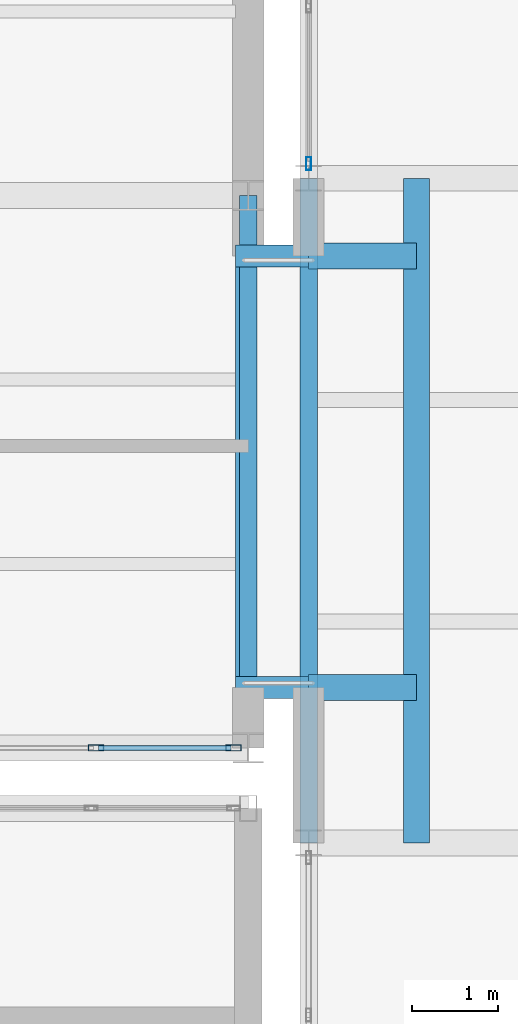
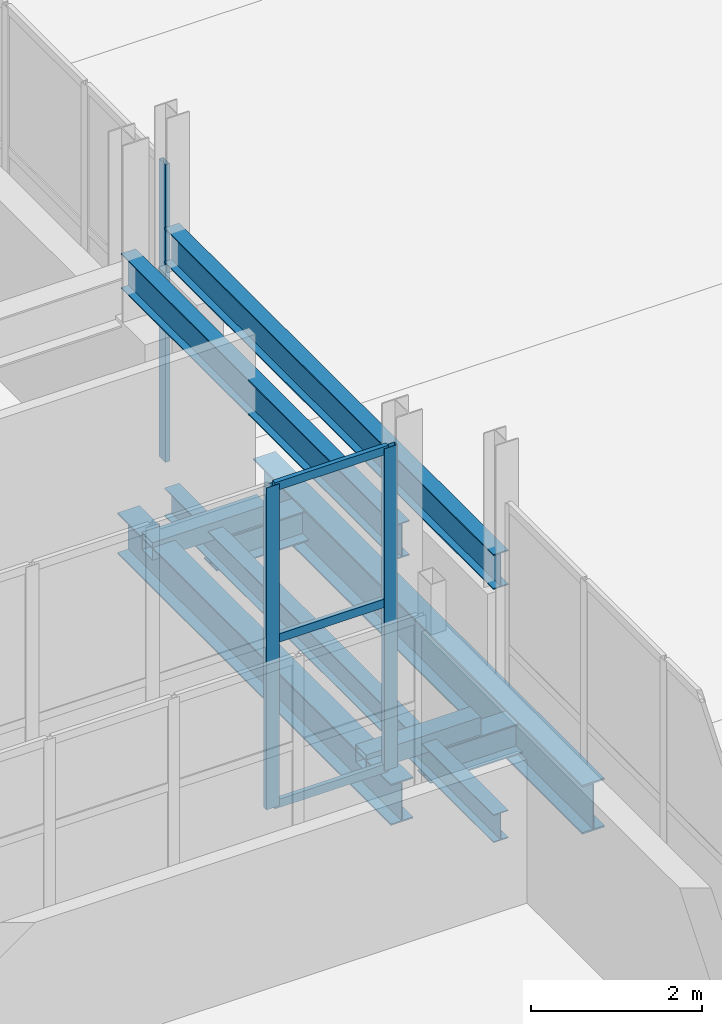
# One storey, part 112 of 218: 8 members, 7 beams, 2 elements without a shape of their own.
"""IFC4 building model written with IfcOpenShell, lengths in metres."""

from ifc_helpers import new_model, si_unit, direction, frame, origin, origin_2d, place, context, subcontext, project, spatial, hollow_rectangle, i_section, extrude, material, material_profile, profile_set, type_object, element, aggregate, save


model = new_model("IFC4")

# Units and contexts
model_context = context("Model", 3, precision=1e-05, world=origin(), true_north=direction((0.0, 1.0)))
body_context = subcontext(model_context, "Body", "Model", "MODEL_VIEW")
ifc_project = project(units=[si_unit("LENGTHUNIT", "METRE"), si_unit("AREAUNIT", "SQUARE_METRE"), si_unit("VOLUMEUNIT", "CUBIC_METRE"), si_unit("PLANEANGLEUNIT", "RADIAN"), si_unit("MASSUNIT", "GRAM", prefix="KILO")], contexts=[model_context])

# Site, building, storey
site_placement = place(None, origin())
site = spatial("IfcSite", under=ifc_project, at=site_placement, CompositionType="ELEMENT")
building_placement = place(site_placement, origin())
building = spatial("IfcBuilding", under=site, at=building_placement, Name="Kazenagashi Tramway Depot", CompositionType="ELEMENT")
storey_placement = place(building_placement, frame((0.0, 0.0, 6.0)))
storey = spatial("IfcBuildingStorey", under=building, at=storey_placement, Name="L02", CompositionType="ELEMENT", Elevation=6.0)

# Beams
ifc_material_1 = material(Name="Steel SN490B", Category="steel")
ifc_material_profile_1 = material_profile(ifc_material_1, i_section(OverallWidth=0.3, OverallDepth=0.7, WebThickness=0.013, FlangeThickness=0.024, at=origin_2d()), Name="H-700x300x13x24")
ifc_profile_set_1 = profile_set([ifc_material_profile_1], Name="Steel SN490B")
beam_type_1 = type_object("IfcBeamType", Name="G-02", PredefinedType="BEAM", material=ifc_profile_set_1)
beam_1_placement = place(storey_placement, frame((147.55, 15.4, -0.63), z_axis=(0.0, 1.0, 0.0), x_axis=(-1.0, 0.0, 0.0)))
element("IfcBeam", 1, at=beam_1_placement, inside=storey, type_object=beam_type_1, Name="Beam G-02 BM-2361", PredefinedType="BEAM", context=body_context, shape_type="SweptSolid", body=[
    extrude(i_section(OverallWidth=0.3, OverallDepth=0.7, WebThickness=0.013, FlangeThickness=0.024, at=origin_2d()), origin(), (0.0, 0.0, 1.0), 7.7),
])
ifc_material_profile_2 = material_profile(ifc_material_1, i_section(OverallWidth=0.2, OverallDepth=0.5, WebThickness=0.01, FlangeThickness=0.016, at=origin_2d()), Name="H-500x200x10x16")
ifc_profile_set_2 = profile_set([ifc_material_profile_2], Name="Steel SN490B")
beam_type_2 = type_object("IfcBeamType", Name="G-05", PredefinedType="BEAM", material=ifc_profile_set_2)
beam_2_placement = place(storey_placement, frame((145.6, 16.5, 3.185), z_axis=(0.0, 1.0, 0.0), x_axis=(-1.0, 0.0, 0.0)))
element("IfcBeam", 2, at=beam_2_placement, inside=storey, type_object=beam_type_2, Name="Beam G-05 BM-2016", PredefinedType="BEAM", context=body_context, shape_type="SweptSolid", body=[
    extrude(i_section(OverallWidth=0.2, OverallDepth=0.5, WebThickness=0.01, FlangeThickness=0.016, at=origin_2d()), origin(), (0.0, 0.0, 1.0), 6.4),
])
beam_3_placement = place(storey_placement, frame((146.3, 15.4, 3.185), z_axis=(0.0, 1.0, 0.0), x_axis=(-1.0, 0.0, 0.0)))
element("IfcBeam", 3, at=beam_3_placement, inside=storey, type_object=beam_type_2, Name="Beam G-05 BM-2017", PredefinedType="BEAM", context=body_context, shape_type="SweptSolid", body=[
    extrude(i_section(OverallWidth=0.2, OverallDepth=0.5, WebThickness=0.01, FlangeThickness=0.016, at=origin_2d()), origin(), (0.0, 0.0, 1.0), 7.7),
])
ifc_material_profile_3 = material_profile(ifc_material_1, i_section(OverallWidth=0.3, OverallDepth=0.44, WebThickness=0.011, FlangeThickness=0.018, at=origin_2d()), Name="H-440x300x11x18")
ifc_profile_set_3 = profile_set([ifc_material_profile_3], Name="Steel SN490B")
beam_type_3 = type_object("IfcBeamType", Name="G-06", PredefinedType="BEAM", material=ifc_profile_set_3)
for number, where, z_axis, x_axis, name in (
    (4, (146.3, 17.2, -0.65), (1.0, 0.0, 0.0), (0.0, 1.0, 0.0), "Beam G-06 BM-2362"),
    (5, (146.3, 22.2, -0.65), (1.0, 0.0, 0.0), (0.0, 1.0, 0.0), "Beam G-06 BM-2363"),
):
    element("IfcBeam", number, at=place(storey_placement, frame(where, z_axis=z_axis, x_axis=x_axis)), inside=storey, type_object=beam_type_3, Name=name, PredefinedType="BEAM", context=body_context, shape_type="SweptSolid", body=[
        extrude(i_section(OverallWidth=0.3, OverallDepth=0.44, WebThickness=0.011, FlangeThickness=0.018, at=origin_2d()), origin(), (0.0, 0.0, 1.0), 1.25),
    ])

# Curtain wall, member
ifc_material_2 = material(Name="Anodised Aluminium and Low-E Glazing", Category="aluminium")
curtain_wall_type_1 = type_object("IfcCurtainWallType", Name="CW-31", PredefinedType="USERDEFINED", material=ifc_material_2)
curtain_wall_1_placement = place(storey_placement, origin())
curtain_wall_1 = element("IfcCurtainWall", 6, at=curtain_wall_1_placement, inside=storey, type_object=curtain_wall_type_1, Name="Industrial Glazed Screen CW-31 CW-0163", ObjectType="GLAZED SCREEN", PredefinedType="USERDEFINED")
ifc_material_3 = material(Name="Anodised Aluminium", Category="aluminium")
ifc_material_profile_4 = material_profile(ifc_material_3, hollow_rectangle(XDim=0.06, YDim=0.15, WallThickness=0.004, at=origin_2d()), Name="RHS-150x60x4")
ifc_profile_set_4 = profile_set([ifc_material_profile_4], Name="Anodised Aluminium")
member_type_1 = type_object("IfcMemberType", Name="ML-01", PredefinedType="MULLION", material=ifc_profile_set_4)
member_1_placement = place(storey_placement, frame((146.3, 23.27, 0.0), z_axis=(0.0, 0.0, 1.0), x_axis=(-1.0, 0.0, 0.0)))
member_1 = element("IfcMember", 7, at=member_1_placement, type_object=member_type_1, Name="CW-31 mullion 1", PredefinedType="MULLION", context=body_context, shape_type="SweptSolid", body=[
    extrude(hollow_rectangle(XDim=0.06, YDim=0.15, WallThickness=0.004, at=origin_2d()), origin(), (0.0, 0.0, 1.0), 4.25),
])
aggregate(curtain_wall_1, [member_1])

# Curtain wall, members
curtain_wall_type_2 = type_object("IfcCurtainWallType", Name="CW-20", PredefinedType="USERDEFINED", material=ifc_material_2)
curtain_wall_2_placement = place(storey_placement, origin())
curtain_wall_2 = element("IfcCurtainWall", 8, at=curtain_wall_2_placement, inside=storey, type_object=curtain_wall_type_2, Name="Industrial Glazed Screen CW-20 CW-0106", ObjectType="GLAZED SCREEN", PredefinedType="USERDEFINED")
ifc_material_profile_5 = material_profile(ifc_material_3, hollow_rectangle(XDim=0.07, YDim=0.18, WallThickness=0.005, at=origin_2d()), Name="RHS-180x70x5")
ifc_profile_set_5 = profile_set([ifc_material_profile_5], Name="Anodised Aluminium")
member_type_2 = type_object("IfcMemberType", Name="ML-02", PredefinedType="MULLION", material=ifc_profile_set_5)
member_2_placement = place(storey_placement, frame((143.836, 16.5, 0.0), z_axis=(0.0, 0.0, 1.0), x_axis=(0.0, 1.0, 0.0)))
member_2 = element("IfcMember", 9, at=member_2_placement, type_object=member_type_2, Name="CW-20 mullion 5", PredefinedType="MULLION", context=body_context, shape_type="SweptSolid", body=[
    extrude(hollow_rectangle(XDim=0.07, YDim=0.18, WallThickness=0.005, at=origin_2d()), origin(), (0.0, 0.0, 1.0), 4.6),
])
member_3_placement = place(storey_placement, frame((145.43, 16.5, 0.0), z_axis=(0.0, 0.0, 1.0), x_axis=(0.0, 1.0, 0.0)))
member_3 = element("IfcMember", 10, at=member_3_placement, type_object=member_type_2, Name="CW-20 mullion 6", PredefinedType="MULLION", context=body_context, shape_type="SweptSolid", body=[
    extrude(hollow_rectangle(XDim=0.07, YDim=0.18, WallThickness=0.005, at=origin_2d()), origin(), (0.0, 0.0, 1.0), 4.6),
])

# Beams
ifc_material_profile_6 = material_profile(ifc_material_1, i_section(OverallWidth=0.3, OverallDepth=0.588, WebThickness=0.012, FlangeThickness=0.02, at=origin_2d()), Name="H-588x300x12x20")
ifc_profile_set_6 = profile_set([ifc_material_profile_6], Name="Steel SN490B")
beam_type_4 = type_object("IfcBeamType", Name="SP-01", PredefinedType="SPANDREL", material=ifc_profile_set_6)
beam_4_placement = place(storey_placement, frame((145.6, 16.5, -0.544), z_axis=(0.0, 1.0, 0.0), x_axis=(-1.0, 0.0, 0.0)))
element("IfcBeam", 11, at=beam_4_placement, inside=storey, type_object=beam_type_4, Name="Beam SP-01 BM-1100", PredefinedType="SPANDREL", context=body_context, shape_type="SweptSolid", body=[
    extrude(i_section(OverallWidth=0.3, OverallDepth=0.588, WebThickness=0.012, FlangeThickness=0.02, at=origin_2d()), origin(), (0.0, 0.0, 1.0), 6.4),
])
ifc_material_profile_7 = material_profile(ifc_material_1, i_section(OverallWidth=0.2, OverallDepth=0.4, WebThickness=0.008, FlangeThickness=0.013, at=origin_2d()), Name="H-400x200x8x13")
ifc_profile_set_7 = profile_set([ifc_material_profile_7], Name="Steel SN490B")
beam_type_5 = type_object("IfcBeamType", Name="SP-04", PredefinedType="SPANDREL", material=ifc_profile_set_7)
beam_5_placement = place(storey_placement, frame((146.3, 15.4, -0.48), z_axis=(0.0, 1.0, 0.0), x_axis=(-1.0, 0.0, 0.0)))
element("IfcBeam", 12, at=beam_5_placement, inside=storey, type_object=beam_type_5, Name="Beam SP-04 BM-1235", PredefinedType="SPANDREL", context=body_context, shape_type="SweptSolid", body=[
    extrude(i_section(OverallWidth=0.2, OverallDepth=0.4, WebThickness=0.008, FlangeThickness=0.013, at=origin_2d()), origin(), (0.0, 0.0, 1.0), 7.7),
])

# Members
ifc_material_4 = material(Name="Weathering Steel SMA490W", Category="steel")
ifc_material_profile_8 = material_profile(ifc_material_4, hollow_rectangle(XDim=0.25, YDim=0.25, WallThickness=0.009, at=origin_2d()), Name="SHS-250x250x9")
ifc_profile_set_8 = profile_set([ifc_material_profile_8], Name="Weathering Steel SMA490W")
member_type_3 = type_object("IfcMemberType", Name="TC-04", PredefinedType="CHORD", material=ifc_profile_set_8)
for number, where, z_axis, x_axis, name in (
    (13, (145.45, 17.2, -0.305), (1.0, 0.0, 0.0), (0.0, 1.0, 0.0), "Link Bridge Truss TC-04 MEM-1556"),
    (14, (145.45, 22.2, -0.305), (1.0, 0.0, 0.0), (0.0, 1.0, 0.0), "Link Bridge Truss TC-04 MEM-1557"),
):
    element("IfcMember", number, at=place(storey_placement, frame(where, z_axis=z_axis, x_axis=x_axis)), inside=storey, type_object=member_type_3, Name=name, PredefinedType="CHORD", context=body_context, shape_type="SweptSolid", body=[
        extrude(hollow_rectangle(XDim=0.25, YDim=0.25, WallThickness=0.009, at=origin_2d()), origin(), (0.0, 0.0, 1.0), 1.55),
    ])

# Member
ifc_material_profile_9 = material_profile(ifc_material_3, hollow_rectangle(XDim=0.06, YDim=0.12, WallThickness=0.004, at=origin_2d()), Name="RHS-120x60x4")
ifc_profile_set_9 = profile_set([ifc_material_profile_9], Name="Anodised Aluminium")
member_type_4 = type_object("IfcMemberType", Name="TR-01", PredefinedType="USERDEFINED", material=ifc_profile_set_9)
member_4_placement = place(storey_placement, frame((143.866, 16.5, 0.03), z_axis=(1.0, 0.0, 0.0), x_axis=(0.0, 1.0, 0.0)))
member_4 = element("IfcMember", 15, at=member_4_placement, type_object=member_type_4, Name="CW-20 transom 5.1", ObjectType="TRANSOM", PredefinedType="USERDEFINED", context=body_context, shape_type="SweptSolid", body=[
    extrude(hollow_rectangle(XDim=0.06, YDim=0.12, WallThickness=0.004, at=origin_2d()), origin(), (0.0, 0.0, 1.0), 1.534),
])

member_5_placement = place(storey_placement, frame((143.866, 16.5, 2.392), z_axis=(1.0, 0.0, 0.0), x_axis=(0.0, 1.0, 0.0)))
member_5 = element("IfcMember", 16, at=member_5_placement, type_object=member_type_4, Name="CW-20 transom 5.2", ObjectType="TRANSOM", PredefinedType="USERDEFINED", context=body_context, shape_type="SweptSolid", body=[
    extrude(hollow_rectangle(XDim=0.06, YDim=0.12, WallThickness=0.004, at=origin_2d()), origin(), (0.0, 0.0, 1.0), 1.534),
])

member_6_placement = place(storey_placement, frame((143.866, 16.5, 4.57), z_axis=(1.0, 0.0, 0.0), x_axis=(0.0, 1.0, 0.0)))
member_6 = element("IfcMember", 17, at=member_6_placement, type_object=member_type_4, Name="CW-20 transom 5.3", ObjectType="TRANSOM", PredefinedType="USERDEFINED", context=body_context, shape_type="SweptSolid", body=[
    extrude(hollow_rectangle(XDim=0.06, YDim=0.12, WallThickness=0.004, at=origin_2d()), origin(), (0.0, 0.0, 1.0), 1.534),
])

aggregate(curtain_wall_2, [member_2, member_3, member_4, member_5, member_6])

save(model, "model.ifc")
